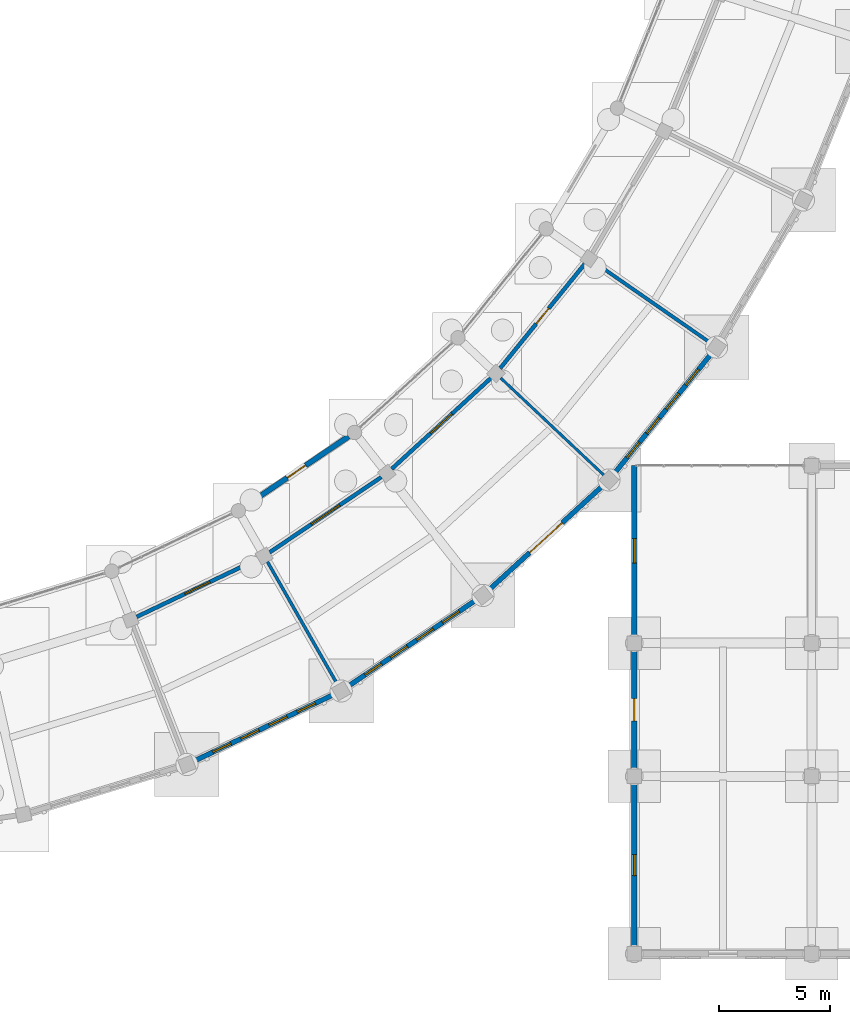
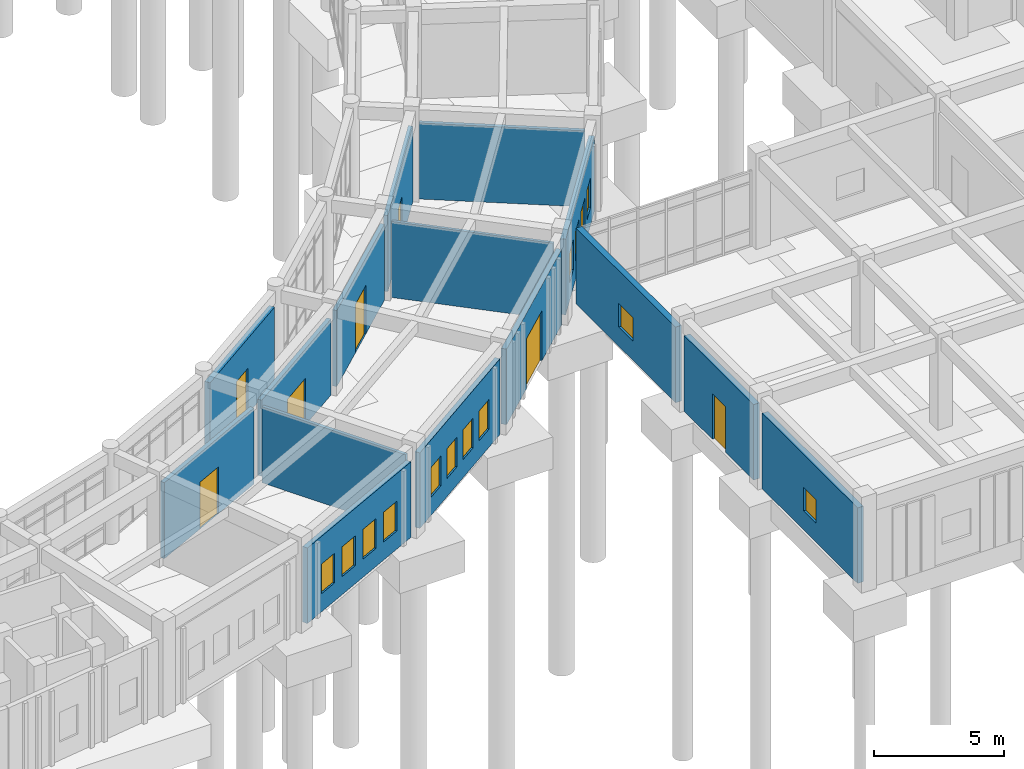
# One storey, part 123 of 153: 15 walls, 14 windows, 7 doors, 21 openings.
"""IFC4 building model written with IfcOpenShell, lengths in metres."""

from ifc_helpers import new_model, si_unit, direction, frame, frame_2d, origin, place, context, subcontext, project, spatial, rectangle, extrude, material, layer, layer_set, type_object, element, fill, save


model = new_model("IFC4")

# Units and contexts
model_context = context("Model", 3, precision=1e-05, world=origin(), true_north=direction((0.0, 1.0)))
body_context = subcontext(model_context, "Body", "Model", "MODEL_VIEW")
ifc_project = project(units=[si_unit("LENGTHUNIT", "METRE"), si_unit("AREAUNIT", "SQUARE_METRE"), si_unit("VOLUMEUNIT", "CUBIC_METRE"), si_unit("PLANEANGLEUNIT", "RADIAN"), si_unit("MASSUNIT", "GRAM", prefix="KILO")], contexts=[model_context])

# Site, building, storey
site_placement = place(None, origin())
site = spatial("IfcSite", under=ifc_project, at=site_placement, CompositionType="ELEMENT")
building_placement = place(site_placement, origin())
building = spatial("IfcBuilding", under=site, at=building_placement, Name="Celadon Cloister-Ring School", CompositionType="ELEMENT")
storey_placement = place(building_placement, origin())
storey = spatial("IfcBuildingStorey", under=building, at=storey_placement, Name="L00", CompositionType="ELEMENT", Elevation=0.0)

# Wall, opening, window
ifc_material_1 = material(Name="Rendered concrete blockwork", Category="masonry")
ifc_layer_1 = layer(ifc_material_1, 0.260009765625)
ifc_layer_set_1 = layer_set([ifc_layer_1], Name="Rendered concrete blockwork")
wall_type_1 = type_object("IfcWallType", Name="WT-EX2", PredefinedType="SOLIDWALL", material=ifc_layer_set_1)
wall_1_placement = place(storey_placement, frame((126.0, 2.326904296875, 0.0), z_axis=(0.0, 0.0, 1.0), x_axis=(0.0, 1.0, 0.0)))
wall_1 = element("IfcWall", 1, at=wall_1_placement, inside=storey, type_object=wall_type_1, Name="Exterior Wall 0397", PredefinedType="SOLIDWALL", context=body_context, shape_type="SweptSolid", body=[
    extrude(rectangle(XDim=7.34619140625, YDim=0.260009765625, at=frame_2d((3.673095703125, 0.0))), origin(), (0.0, 0.0, 1.0), 3.550048828125),
])
opening_1_placement = place(wall_1_placement, frame((3.197998046875, 0.0, 0.89990234375)))
opening_1 = element("IfcOpeningElement", 2, at=opening_1_placement, cuts=wall_1, Name="Opening WN-02", PredefinedType="OPENING", context=body_context, shape_type="SweptSolid", body=[
    extrude(rectangle(XDim=0.949951171875, YDim=1.10009765625, at=frame_2d((0.47509765625, 0.550048828125))), frame((0.0, 0.14013671875, 0.0), z_axis=(0.0, -1.0, 0.0), x_axis=(1.0, 0.0, 0.0)), (0.0, 0.0, 1.0), 0.280029296875),
])
ifc_material_2 = material(Name="Tempered laminated insulating glass", Category="glass")
window_type_1 = type_object("IfcWindowType", Name="WN-02", PartitioningType="SINGLE_PANEL", PredefinedType="WINDOW", material=ifc_material_2)
window_1_placement = place(opening_1_placement, origin())
window_1 = element("IfcWindow", 3, at=window_1_placement, inside=storey, type_object=window_type_1, Name="Window 0952", OverallHeight=1.10009765625, OverallWidth=0.949951171875, PartitioningType="SINGLE_PANEL", PredefinedType="WINDOW", context=body_context, shape_type="SweptSolid", body=[
    extrude(rectangle(XDim=0.949951171875, YDim=1.10009765625, at=frame_2d((0.47509765625, 0.550048828125))), frame((0.0, 0.030029296875, 0.0), z_axis=(0.0, -1.0, 0.0), x_axis=(1.0, 0.0, 0.0)), (0.0, 0.0, 1.0), 0.06005859375),
])
fill(opening_1, window_1)

# Wall, opening, door
wall_2_placement = place(storey_placement, frame((126.0, 10.326904296875, 0.0), z_axis=(0.0, 0.0, 1.0), x_axis=(0.0, 1.0, 0.0)))
wall_2 = element("IfcWall", 4, at=wall_2_placement, inside=storey, type_object=wall_type_1, Name="Exterior Wall 0398", PredefinedType="SOLIDWALL", context=body_context, shape_type="SweptSolid", body=[
    extrude(rectangle(XDim=5.34619140625, YDim=0.260009765625, at=frame_2d((2.673095703125, 0.0))), origin(), (0.0, 0.0, 1.0), 3.550048828125),
])
opening_2_placement = place(wall_2_placement, frame((2.173095703125, 0.0, 0.0)))
opening_2 = element("IfcOpeningElement", 5, at=opening_2_placement, cuts=wall_2, Name="Opening D-0018", PredefinedType="OPENING", context=body_context, shape_type="SweptSolid", body=[
    extrude(rectangle(XDim=1.0, YDim=2.14990234375, at=frame_2d((0.5, 1.074951171875))), frame((0.0, 0.14013671875, 0.0), z_axis=(0.0, -1.0, 0.0), x_axis=(1.0, 0.0, 0.0)), (0.0, 0.0, 1.0), 0.280029296875),
])
ifc_material_3 = material(Name="Aluminium EN AW-6063 T6", Category="aluminium")
door_type_1 = type_object("IfcDoorType", Name="DE-01", OperationType="NOTDEFINED", PredefinedType="DOOR", material=ifc_material_3)
door_1_placement = place(opening_2_placement, origin())
door_1 = element("IfcDoor", 6, at=door_1_placement, inside=storey, type_object=door_type_1, Name="Exterior Door D-0018", OperationType="SINGLE_SWING_RIGHT", OverallHeight=2.14990234375, OverallWidth=1.0, PredefinedType="DOOR", context=body_context, shape_type="SweptSolid", body=[
    extrude(rectangle(XDim=1.0, YDim=2.14990234375, at=frame_2d((0.5, 1.074951171875))), frame((0.0, 0.02490234375, 0.0), z_axis=(0.0, -1.0, 0.0), x_axis=(1.0, 0.0, 0.0)), (0.0, 0.0, 1.0), 0.050048828125),
])
fill(opening_2, door_1)

# Wall, opening, window
wall_3_placement = place(storey_placement, frame((126.0, 16.326904296875, 0.0), z_axis=(0.0, 0.0, 1.0), x_axis=(0.0, 1.0, 0.0)))
wall_3 = element("IfcWall", 7, at=wall_3_placement, inside=storey, type_object=wall_type_1, Name="Exterior Wall 0399", PredefinedType="SOLIDWALL", context=body_context, shape_type="SweptSolid", body=[
    extrude(rectangle(XDim=7.673095703125, YDim=0.260009765625, at=frame_2d((3.83642578125, 0.0))), origin(), (0.0, 0.0, 1.0), 3.550048828125),
])
opening_3_placement = place(wall_3_placement, frame((3.285888671875, 0.0, 0.89990234375)))
opening_3 = element("IfcOpeningElement", 8, at=opening_3_placement, cuts=wall_3, Name="Opening WN-03", PredefinedType="OPENING", context=body_context, shape_type="SweptSolid", body=[
    extrude(rectangle(XDim=1.10009765625, YDim=1.10009765625, at=frame_2d((0.550048828125, 0.550048828125))), frame((0.0, 0.14013671875, 0.0), z_axis=(0.0, -1.0, 0.0), x_axis=(1.0, 0.0, 0.0)), (0.0, 0.0, 1.0), 0.280029296875),
])
ifc_material_4 = material(Name="Tempered laminated insulating glass", Category="glass")
window_type_2 = type_object("IfcWindowType", Name="WN-03", PartitioningType="SINGLE_PANEL", PredefinedType="WINDOW", material=ifc_material_4)
window_2_placement = place(opening_3_placement, origin())
window_2 = element("IfcWindow", 9, at=window_2_placement, inside=storey, type_object=window_type_2, Name="Window 0953", OverallHeight=1.10009765625, OverallWidth=1.10009765625, PartitioningType="SINGLE_PANEL", PredefinedType="WINDOW", context=body_context, shape_type="SweptSolid", body=[
    extrude(rectangle(XDim=1.10009765625, YDim=1.10009765625, at=frame_2d((0.550048828125, 0.550048828125))), frame((0.0, 0.030029296875, 0.0), z_axis=(0.0, -1.0, 0.0), x_axis=(1.0, 0.0, 0.0)), (0.0, 0.0, 1.0), 0.06005859375),
])
fill(opening_3, window_2)

# Wall, opening, door
ifc_material_5 = material(Name="Rendered concrete blockwork", Category="masonry")
ifc_layer_2 = layer(ifc_material_5, 0.239990234375)
ifc_layer_set_2 = layer_set([ifc_layer_2], Name="Rendered concrete blockwork")
wall_type_2 = type_object("IfcWallType", Name="WT-EX3", PredefinedType="SOLIDWALL", material=ifc_layer_set_2)
wall_4_placement = place(storey_placement, frame((108.426025390625, 22.14892578125, 0.0), z_axis=(0.0, 0.0, 1.0), x_axis=(0.829214750807, 0.558930136102, 0.0)))
wall_4 = element("IfcWall", 10, at=wall_4_placement, inside=storey, type_object=wall_type_2, Name="Exterior Wall 0032", PredefinedType="SOLIDWALL", context=body_context, shape_type="SweptSolid", body=[
    extrude(rectangle(XDim=5.664306640625, YDim=0.239990234375, at=frame_2d((2.83203125, 0.0))), origin(), (0.0, 0.0, 1.0), 3.550048828125),
])
opening_4_placement = place(wall_4_placement, frame((2.33203125, 0.0, 0.0)))
opening_4 = element("IfcOpeningElement", 11, at=opening_4_placement, cuts=wall_4, Name="Opening D-0005", PredefinedType="OPENING", context=body_context, shape_type="SweptSolid", body=[
    extrude(rectangle(XDim=1.0, YDim=2.14990234375, at=frame_2d((0.5, 1.074951171875))), frame((0.0, 0.1298828125, 0.0), z_axis=(0.0, -1.0, 0.0), x_axis=(1.0, 0.0, 0.0)), (0.0, 0.0, 1.0), 0.260009765625),
])
door_2_placement = place(opening_4_placement, origin())
door_2 = element("IfcDoor", 12, at=door_2_placement, inside=storey, type_object=door_type_1, Name="Exterior Door D-0005", OperationType="SINGLE_SWING_LEFT", OverallHeight=2.14990234375, OverallWidth=1.0, PredefinedType="DOOR", context=body_context, shape_type="SweptSolid", body=[
    extrude(rectangle(XDim=1.0, YDim=2.14990234375, at=frame_2d((0.5, 1.074951171875))), frame((0.0, 0.02490234375, 0.0), z_axis=(0.0, -1.0, 0.0), x_axis=(1.0, 0.0, 0.0)), (0.0, 0.0, 1.0), 0.050048828125),
])
fill(opening_4, door_2)

# Wall, openings, windows
ifc_material_6 = material(Name="Perforated terracotta clay brick masonry", Category="masonry")
ifc_layer_3 = layer(ifc_material_6, 0.219970703125)
ifc_layer_set_3 = layer_set([ifc_layer_3], Name="Perforated terracotta clay brick masonry")
wall_type_3 = type_object("IfcWallType", Name="WT-EX4", PredefinedType="SOLIDWALL", material=ifc_layer_set_3)
wall_5_placement = place(storey_placement, frame((112.489013671875, 13.701904296875, 0.0), z_axis=(0.0, 0.0, 1.0), x_axis=(-0.902744968073, -0.43017615301, 0.0)))
wall_5 = element("IfcWall", 13, at=wall_5_placement, inside=storey, type_object=wall_type_3, Name="Exterior Wall 0030", PredefinedType="SOLIDWALL", context=body_context, shape_type="SweptSolid", body=[
    extrude(rectangle(XDim=7.03173828125, YDim=0.219970703125, at=frame_2d((3.515869140625, 0.0))), origin(), (0.0, 0.0, 1.0), 3.550048828125),
])
opening_5_placement = place(wall_5_placement, frame((0.9560546875, 0.0, 0.85009765625)))
opening_5 = element("IfcOpeningElement", 14, at=opening_5_placement, cuts=wall_5, Name="Opening WN-21", PredefinedType="OPENING", context=body_context, shape_type="SweptSolid", body=[
    extrude(rectangle(XDim=0.89990234375, YDim=1.39990234375, at=frame_2d((0.449951171875, 0.699951171875))), frame((0.0, 0.1201171875, 0.0), z_axis=(0.0, -1.0, 0.0), x_axis=(1.0, 0.0, 0.0)), (0.0, 0.0, 1.0), 0.239990234375),
])
opening_6_placement = place(wall_5_placement, frame((2.363037109375, 0.0, 0.85009765625)))
opening_6 = element("IfcOpeningElement", 15, at=opening_6_placement, cuts=wall_5, Name="Opening WN-21", PredefinedType="OPENING", context=body_context, shape_type="SweptSolid", body=[
    extrude(rectangle(XDim=0.89990234375, YDim=1.39990234375, at=frame_2d((0.449951171875, 0.699951171875))), frame((0.0, 0.1201171875, 0.0), z_axis=(0.0, -1.0, 0.0), x_axis=(1.0, 0.0, 0.0)), (0.0, 0.0, 1.0), 0.239990234375),
])
opening_7_placement = place(wall_5_placement, frame((3.76904296875, 0.0, 0.85009765625)))
opening_7 = element("IfcOpeningElement", 16, at=opening_7_placement, cuts=wall_5, Name="Opening WN-21", PredefinedType="OPENING", context=body_context, shape_type="SweptSolid", body=[
    extrude(rectangle(XDim=0.89990234375, YDim=1.39990234375, at=frame_2d((0.449951171875, 0.699951171875))), frame((0.0, 0.1201171875, 0.0), z_axis=(0.0, -1.0, 0.0), x_axis=(1.0, 0.0, 0.0)), (0.0, 0.0, 1.0), 0.239990234375),
])
opening_8_placement = place(wall_5_placement, frame((5.176025390625, 0.0, 0.85009765625)))
opening_8 = element("IfcOpeningElement", 17, at=opening_8_placement, cuts=wall_5, Name="Opening WN-21", PredefinedType="OPENING", context=body_context, shape_type="SweptSolid", body=[
    extrude(rectangle(XDim=0.89990234375, YDim=1.39990234375, at=frame_2d((0.449951171875, 0.699951171875))), frame((0.0, 0.1201171875, 0.0), z_axis=(0.0, -1.0, 0.0), x_axis=(1.0, 0.0, 0.0)), (0.0, 0.0, 1.0), 0.239990234375),
])
ifc_material_7 = material(Name="Tempered laminated insulating glass", Category="glass")
window_type_3 = type_object("IfcWindowType", Name="WN-21", PartitioningType="SINGLE_PANEL", PredefinedType="WINDOW", material=ifc_material_7)
window_3_placement = place(opening_5_placement, origin())
window_3 = element("IfcWindow", 18, at=window_3_placement, inside=storey, type_object=window_type_3, Name="Window 0075", OverallHeight=1.39990234375, OverallWidth=0.89990234375, PartitioningType="SINGLE_PANEL", PredefinedType="WINDOW", context=body_context, shape_type="SweptSolid", body=[
    extrude(rectangle(XDim=0.89990234375, YDim=1.39990234375, at=frame_2d((0.449951171875, 0.699951171875))), frame((0.0, 0.030029296875, 0.0), z_axis=(0.0, -1.0, 0.0), x_axis=(1.0, 0.0, 0.0)), (0.0, 0.0, 1.0), 0.06005859375),
])
fill(opening_5, window_3)
window_4_placement = place(opening_6_placement, origin())
window_4 = element("IfcWindow", 19, at=window_4_placement, inside=storey, type_object=window_type_3, Name="Window 0076", OverallHeight=1.39990234375, OverallWidth=0.89990234375, PartitioningType="SINGLE_PANEL", PredefinedType="WINDOW", context=body_context, shape_type="SweptSolid", body=[
    extrude(rectangle(XDim=0.89990234375, YDim=1.39990234375, at=frame_2d((0.449951171875, 0.699951171875))), frame((0.0, 0.030029296875, 0.0), z_axis=(0.0, -1.0, 0.0), x_axis=(1.0, 0.0, 0.0)), (0.0, 0.0, 1.0), 0.06005859375),
])
fill(opening_6, window_4)
window_5_placement = place(opening_7_placement, origin())
window_5 = element("IfcWindow", 20, at=window_5_placement, inside=storey, type_object=window_type_3, Name="Window 0077", OverallHeight=1.39990234375, OverallWidth=0.89990234375, PartitioningType="SINGLE_PANEL", PredefinedType="WINDOW", context=body_context, shape_type="SweptSolid", body=[
    extrude(rectangle(XDim=0.89990234375, YDim=1.39990234375, at=frame_2d((0.449951171875, 0.699951171875))), frame((0.0, 0.030029296875, 0.0), z_axis=(0.0, -1.0, 0.0), x_axis=(1.0, 0.0, 0.0)), (0.0, 0.0, 1.0), 0.06005859375),
])
fill(opening_7, window_5)
window_6_placement = place(opening_8_placement, origin())
window_6 = element("IfcWindow", 21, at=window_6_placement, inside=storey, type_object=window_type_3, Name="Window 0078", OverallHeight=1.39990234375, OverallWidth=0.89990234375, PartitioningType="SINGLE_PANEL", PredefinedType="WINDOW", context=body_context, shape_type="SweptSolid", body=[
    extrude(rectangle(XDim=0.89990234375, YDim=1.39990234375, at=frame_2d((0.449951171875, 0.699951171875))), frame((0.0, 0.030029296875, 0.0), z_axis=(0.0, -1.0, 0.0), x_axis=(1.0, 0.0, 0.0)), (0.0, 0.0, 1.0), 0.06005859375),
])
fill(opening_8, window_6)

wall_6_placement = place(storey_placement, frame((118.90087890625, 17.965087890625, 0.0), z_axis=(0.0, 0.0, 1.0), x_axis=(-0.829175809129, -0.558987904659, 0.0)))
wall_6 = element("IfcWall", 22, at=wall_6_placement, inside=storey, type_object=wall_type_3, Name="Exterior Wall 0031", PredefinedType="SOLIDWALL", context=body_context, shape_type="SweptSolid", body=[
    extrude(rectangle(XDim=7.03076171875, YDim=0.219970703125, at=frame_2d((3.515380859375, 0.0))), origin(), (0.0, 0.0, 1.0), 3.550048828125),
])
opening_9_placement = place(wall_6_placement, frame((0.9560546875, 0.0, 0.85009765625)))
opening_9 = element("IfcOpeningElement", 23, at=opening_9_placement, cuts=wall_6, Name="Opening WN-21", PredefinedType="OPENING", context=body_context, shape_type="SweptSolid", body=[
    extrude(rectangle(XDim=0.89990234375, YDim=1.39990234375, at=frame_2d((0.449951171875, 0.699951171875))), frame((0.0, 0.1201171875, 0.0), z_axis=(0.0, -1.0, 0.0), x_axis=(1.0, 0.0, 0.0)), (0.0, 0.0, 1.0), 0.239990234375),
])
opening_10_placement = place(wall_6_placement, frame((2.362060546875, 0.0, 0.85009765625)))
opening_10 = element("IfcOpeningElement", 24, at=opening_10_placement, cuts=wall_6, Name="Opening WN-21", PredefinedType="OPENING", context=body_context, shape_type="SweptSolid", body=[
    extrude(rectangle(XDim=0.89990234375, YDim=1.39990234375, at=frame_2d((0.449951171875, 0.699951171875))), frame((0.0, 0.1201171875, 0.0), z_axis=(0.0, -1.0, 0.0), x_axis=(1.0, 0.0, 0.0)), (0.0, 0.0, 1.0), 0.239990234375),
])
opening_11_placement = place(wall_6_placement, frame((3.76904296875, 0.0, 0.85009765625)))
opening_11 = element("IfcOpeningElement", 25, at=opening_11_placement, cuts=wall_6, Name="Opening WN-21", PredefinedType="OPENING", context=body_context, shape_type="SweptSolid", body=[
    extrude(rectangle(XDim=0.89990234375, YDim=1.39990234375, at=frame_2d((0.449951171875, 0.699951171875))), frame((0.0, 0.1201171875, 0.0), z_axis=(0.0, -1.0, 0.0), x_axis=(1.0, 0.0, 0.0)), (0.0, 0.0, 1.0), 0.239990234375),
])
opening_12_placement = place(wall_6_placement, frame((5.175048828125, 0.0, 0.85009765625)))
opening_12 = element("IfcOpeningElement", 26, at=opening_12_placement, cuts=wall_6, Name="Opening WN-21", PredefinedType="OPENING", context=body_context, shape_type="SweptSolid", body=[
    extrude(rectangle(XDim=0.89990234375, YDim=1.39990234375, at=frame_2d((0.449951171875, 0.699951171875))), frame((0.0, 0.1201171875, 0.0), z_axis=(0.0, -1.0, 0.0), x_axis=(1.0, 0.0, 0.0)), (0.0, 0.0, 1.0), 0.239990234375),
])
window_7_placement = place(opening_9_placement, origin())
window_7 = element("IfcWindow", 27, at=window_7_placement, inside=storey, type_object=window_type_3, Name="Window 0079", OverallHeight=1.39990234375, OverallWidth=0.89990234375, PartitioningType="SINGLE_PANEL", PredefinedType="WINDOW", context=body_context, shape_type="SweptSolid", body=[
    extrude(rectangle(XDim=0.89990234375, YDim=1.39990234375, at=frame_2d((0.449951171875, 0.699951171875))), frame((0.0, 0.030029296875, 0.0), z_axis=(0.0, -1.0, 0.0), x_axis=(1.0, 0.0, 0.0)), (0.0, 0.0, 1.0), 0.06005859375),
])
fill(opening_9, window_7)
window_8_placement = place(opening_10_placement, origin())
window_8 = element("IfcWindow", 28, at=window_8_placement, inside=storey, type_object=window_type_3, Name="Window 0080", OverallHeight=1.39990234375, OverallWidth=0.89990234375, PartitioningType="SINGLE_PANEL", PredefinedType="WINDOW", context=body_context, shape_type="SweptSolid", body=[
    extrude(rectangle(XDim=0.89990234375, YDim=1.39990234375, at=frame_2d((0.449951171875, 0.699951171875))), frame((0.0, 0.030029296875, 0.0), z_axis=(0.0, -1.0, 0.0), x_axis=(1.0, 0.0, 0.0)), (0.0, 0.0, 1.0), 0.06005859375),
])
fill(opening_10, window_8)
window_9_placement = place(opening_11_placement, origin())
window_9 = element("IfcWindow", 29, at=window_9_placement, inside=storey, type_object=window_type_3, Name="Window 0081", OverallHeight=1.39990234375, OverallWidth=0.89990234375, PartitioningType="SINGLE_PANEL", PredefinedType="WINDOW", context=body_context, shape_type="SweptSolid", body=[
    extrude(rectangle(XDim=0.89990234375, YDim=1.39990234375, at=frame_2d((0.449951171875, 0.699951171875))), frame((0.0, 0.030029296875, 0.0), z_axis=(0.0, -1.0, 0.0), x_axis=(1.0, 0.0, 0.0)), (0.0, 0.0, 1.0), 0.06005859375),
])
fill(opening_11, window_9)
window_10_placement = place(opening_12_placement, origin())
window_10 = element("IfcWindow", 30, at=window_10_placement, inside=storey, type_object=window_type_3, Name="Window 0082", OverallHeight=1.39990234375, OverallWidth=0.89990234375, PartitioningType="SINGLE_PANEL", PredefinedType="WINDOW", context=body_context, shape_type="SweptSolid", body=[
    extrude(rectangle(XDim=0.89990234375, YDim=1.39990234375, at=frame_2d((0.449951171875, 0.699951171875))), frame((0.0, 0.030029296875, 0.0), z_axis=(0.0, -1.0, 0.0), x_axis=(1.0, 0.0, 0.0)), (0.0, 0.0, 1.0), 0.06005859375),
])
fill(opening_12, window_10)

# Wall, opening, door
wall_7_placement = place(storey_placement, frame((124.614013671875, 23.12890625, 0.0), z_axis=(0.0, 0.0, 1.0), x_axis=(-0.737497040912, -0.675350364364, 0.0)))
wall_7 = element("IfcWall", 31, at=wall_7_placement, inside=storey, type_object=wall_type_3, Name="Exterior Wall 0033", PredefinedType="SOLIDWALL", context=body_context, shape_type="SweptSolid", body=[
    extrude(rectangle(XDim=7.031982421875, YDim=0.219970703125, at=frame_2d((3.51611328125, 0.0))), origin(), (0.0, 0.0, 1.0), 3.550048828125),
])
opening_13_placement = place(wall_7_placement, frame((2.51611328125, 0.0, 0.0)))
opening_13 = element("IfcOpeningElement", 32, at=opening_13_placement, cuts=wall_7, Name="Opening D-0006", PredefinedType="OPENING", context=body_context, shape_type="SweptSolid", body=[
    extrude(rectangle(XDim=2.0, YDim=2.35009765625, at=frame_2d((1.0, 1.175048828125))), frame((0.0, 0.1201171875, 0.0), z_axis=(0.0, -1.0, 0.0), x_axis=(1.0, 0.0, 0.0)), (0.0, 0.0, 1.0), 0.239990234375),
])
ifc_material_8 = material(Name="Aluminium EN AW-6063 T6", Category="aluminium")
door_type_2 = type_object("IfcDoorType", Name="DE-11", OperationType="NOTDEFINED", PredefinedType="DOOR", material=ifc_material_8)
door_3_placement = place(opening_13_placement, origin())
door_3 = element("IfcDoor", 33, at=door_3_placement, inside=storey, type_object=door_type_2, Name="Exterior Door D-0006", OperationType="SINGLE_SWING_RIGHT", OverallHeight=2.35009765625, OverallWidth=2.0, PredefinedType="DOOR", context=body_context, shape_type="SweptSolid", body=[
    extrude(rectangle(XDim=2.0, YDim=2.35009765625, at=frame_2d((1.0, 1.175048828125))), frame((0.0, 0.02490234375, 0.0), z_axis=(0.0, -1.0, 0.0), x_axis=(1.0, 0.0, 0.0)), (0.0, 0.0, 1.0), 0.050048828125),
])
fill(opening_13, door_3)

# Wall, openings, windows
wall_8_placement = place(storey_placement, frame((129.5, 29.080078125, 0.0), z_axis=(0.0, 0.0, 1.0), x_axis=(-0.629497848331, -0.777002225831, 0.0)))
wall_8 = element("IfcWall", 34, at=wall_8_placement, inside=storey, type_object=wall_type_3, Name="Exterior Wall 0034", PredefinedType="SOLIDWALL", context=body_context, shape_type="SweptSolid", body=[
    extrude(rectangle(XDim=7.031005859375, YDim=0.219970703125, at=frame_2d((3.515625, 0.0))), origin(), (0.0, 0.0, 1.0), 3.550048828125),
])
opening_14_placement = place(wall_8_placement, frame((0.9560546875, 0.0, 0.85009765625)))
opening_14 = element("IfcOpeningElement", 35, at=opening_14_placement, cuts=wall_8, Name="Opening WN-21", PredefinedType="OPENING", context=body_context, shape_type="SweptSolid", body=[
    extrude(rectangle(XDim=0.89990234375, YDim=1.39990234375, at=frame_2d((0.449951171875, 0.699951171875))), frame((0.0, 0.1201171875, 0.0), z_axis=(0.0, -1.0, 0.0), x_axis=(1.0, 0.0, 0.0)), (0.0, 0.0, 1.0), 0.239990234375),
])
opening_15_placement = place(wall_8_placement, frame((2.362060546875, 0.0, 0.85009765625)))
opening_15 = element("IfcOpeningElement", 36, at=opening_15_placement, cuts=wall_8, Name="Opening WN-21", PredefinedType="OPENING", context=body_context, shape_type="SweptSolid", body=[
    extrude(rectangle(XDim=0.89990234375, YDim=1.39990234375, at=frame_2d((0.449951171875, 0.699951171875))), frame((0.0, 0.1201171875, 0.0), z_axis=(0.0, -1.0, 0.0), x_axis=(1.0, 0.0, 0.0)), (0.0, 0.0, 1.0), 0.239990234375),
])
opening_16_placement = place(wall_8_placement, frame((3.76904296875, 0.0, 0.85009765625)))
opening_16 = element("IfcOpeningElement", 37, at=opening_16_placement, cuts=wall_8, Name="Opening WN-21", PredefinedType="OPENING", context=body_context, shape_type="SweptSolid", body=[
    extrude(rectangle(XDim=0.89990234375, YDim=1.39990234375, at=frame_2d((0.449951171875, 0.699951171875))), frame((0.0, 0.1201171875, 0.0), z_axis=(0.0, -1.0, 0.0), x_axis=(1.0, 0.0, 0.0)), (0.0, 0.0, 1.0), 0.239990234375),
])
opening_17_placement = place(wall_8_placement, frame((5.175048828125, 0.0, 0.85009765625)))
opening_17 = element("IfcOpeningElement", 38, at=opening_17_placement, cuts=wall_8, Name="Opening WN-21", PredefinedType="OPENING", context=body_context, shape_type="SweptSolid", body=[
    extrude(rectangle(XDim=0.89990234375, YDim=1.39990234375, at=frame_2d((0.449951171875, 0.699951171875))), frame((0.0, 0.1201171875, 0.0), z_axis=(0.0, -1.0, 0.0), x_axis=(1.0, 0.0, 0.0)), (0.0, 0.0, 1.0), 0.239990234375),
])
window_11_placement = place(opening_14_placement, origin())
window_11 = element("IfcWindow", 39, at=window_11_placement, inside=storey, type_object=window_type_3, Name="Window 0083", OverallHeight=1.39990234375, OverallWidth=0.89990234375, PartitioningType="SINGLE_PANEL", PredefinedType="WINDOW", context=body_context, shape_type="SweptSolid", body=[
    extrude(rectangle(XDim=0.89990234375, YDim=1.39990234375, at=frame_2d((0.449951171875, 0.699951171875))), frame((0.0, 0.030029296875, 0.0), z_axis=(0.0, -1.0, 0.0), x_axis=(1.0, 0.0, 0.0)), (0.0, 0.0, 1.0), 0.06005859375),
])
fill(opening_14, window_11)
window_12_placement = place(opening_15_placement, origin())
window_12 = element("IfcWindow", 40, at=window_12_placement, inside=storey, type_object=window_type_3, Name="Window 0084", OverallHeight=1.39990234375, OverallWidth=0.89990234375, PartitioningType="SINGLE_PANEL", PredefinedType="WINDOW", context=body_context, shape_type="SweptSolid", body=[
    extrude(rectangle(XDim=0.89990234375, YDim=1.39990234375, at=frame_2d((0.449951171875, 0.699951171875))), frame((0.0, 0.030029296875, 0.0), z_axis=(0.0, -1.0, 0.0), x_axis=(1.0, 0.0, 0.0)), (0.0, 0.0, 1.0), 0.06005859375),
])
fill(opening_15, window_12)
window_13_placement = place(opening_16_placement, origin())
window_13 = element("IfcWindow", 41, at=window_13_placement, inside=storey, type_object=window_type_3, Name="Window 0085", OverallHeight=1.39990234375, OverallWidth=0.89990234375, PartitioningType="SINGLE_PANEL", PredefinedType="WINDOW", context=body_context, shape_type="SweptSolid", body=[
    extrude(rectangle(XDim=0.89990234375, YDim=1.39990234375, at=frame_2d((0.449951171875, 0.699951171875))), frame((0.0, 0.030029296875, 0.0), z_axis=(0.0, -1.0, 0.0), x_axis=(1.0, 0.0, 0.0)), (0.0, 0.0, 1.0), 0.06005859375),
])
fill(opening_16, window_13)
window_14_placement = place(opening_17_placement, origin())
window_14 = element("IfcWindow", 42, at=window_14_placement, inside=storey, type_object=window_type_3, Name="Window 0086", OverallHeight=1.39990234375, OverallWidth=0.89990234375, PartitioningType="SINGLE_PANEL", PredefinedType="WINDOW", context=body_context, shape_type="SweptSolid", body=[
    extrude(rectangle(XDim=0.89990234375, YDim=1.39990234375, at=frame_2d((0.449951171875, 0.699951171875))), frame((0.0, 0.030029296875, 0.0), z_axis=(0.0, -1.0, 0.0), x_axis=(1.0, 0.0, 0.0)), (0.0, 0.0, 1.0), 0.06005859375),
])
fill(opening_17, window_14)

# Wall, opening, door
ifc_material_9 = material(Name="Plastered hollow concrete masonry", Category="masonry")
ifc_layer_4 = layer(ifc_material_9, 0.179931640625)
ifc_layer_set_4 = layer_set([ifc_layer_4], Name="Plastered hollow concrete masonry")
wall_type_4 = type_object("IfcWallType", Name="WT-PT2", PredefinedType="PARTITIONING", material=ifc_layer_set_4)
wall_9_placement = place(storey_placement, frame((103.56591796875, 17.18310546875, 0.0), z_axis=(0.0, 0.0, 1.0), x_axis=(0.902690527885, 0.430290379704, 0.0)))
wall_9 = element("IfcWall", 43, at=wall_9_placement, inside=storey, type_object=wall_type_4, Name="Interior Wall 0468", PredefinedType="PARTITIONING", context=body_context, shape_type="SweptSolid", body=[
    extrude(rectangle(XDim=6.081787109375, YDim=0.179931640625, at=frame_2d((3.041015625, 0.0))), origin(), (0.0, 0.0, 1.0), 3.572021484375),
])
opening_18_placement = place(wall_9_placement, frame((2.416015625, 0.0, 0.0)))
opening_18 = element("IfcOpeningElement", 44, at=opening_18_placement, cuts=wall_9, Name="Opening D-0129", PredefinedType="OPENING", context=body_context, shape_type="SweptSolid", body=[
    extrude(rectangle(XDim=1.25, YDim=2.199951171875, at=frame_2d((0.625, 1.10009765625))), frame((0.0, 0.10009765625, 0.0), z_axis=(0.0, -1.0, 0.0), x_axis=(1.0, 0.0, 0.0)), (0.0, 0.0, 1.0), 0.199951171875),
])
ifc_material_10 = material(Name="Galvanised fire-rated hollow steel leaf", Category="steel")
door_type_3 = type_object("IfcDoorType", Name="DT-10", OperationType="NOTDEFINED", PredefinedType="DOOR", material=ifc_material_10)
door_4_placement = place(opening_18_placement, origin())
door_4 = element("IfcDoor", 45, at=door_4_placement, inside=storey, type_object=door_type_3, Name="Door D-0129", OperationType="SINGLE_SWING_LEFT", OverallHeight=2.199951171875, OverallWidth=1.25, PredefinedType="DOOR", context=body_context, shape_type="SweptSolid", body=[
    extrude(rectangle(XDim=1.25, YDim=2.199951171875, at=frame_2d((0.625, 1.10009765625))), frame((0.0, 0.02490234375, 0.0), z_axis=(0.0, -1.0, 0.0), x_axis=(1.0, 0.0, 0.0)), (0.0, 0.0, 1.0), 0.050048828125),
])
fill(opening_18, door_4)

wall_10_placement = place(storey_placement, frame((109.56298828125, 20.090087890625, 0.0), z_axis=(0.0, 0.0, 1.0), x_axis=(0.829259954876, 0.558863066626, 0.0)))
wall_10 = element("IfcWall", 46, at=wall_10_placement, inside=storey, type_object=wall_type_4, Name="Interior Wall 0469", PredefinedType="PARTITIONING", context=body_context, shape_type="SweptSolid", body=[
    extrude(rectangle(XDim=6.080078125, YDim=0.179931640625, at=frame_2d((3.0400390625, 0.0))), origin(), (0.0, 0.0, 1.0), 3.572021484375),
])
opening_19_placement = place(wall_10_placement, frame((2.264892578125, 0.0, 0.0)))
opening_19 = element("IfcOpeningElement", 47, at=opening_19_placement, cuts=wall_10, Name="Opening D-0130", PredefinedType="OPENING", context=body_context, shape_type="SweptSolid", body=[
    extrude(rectangle(XDim=1.550048828125, YDim=2.199951171875, at=frame_2d((0.77490234375, 1.10009765625))), frame((0.0, 0.10009765625, 0.0), z_axis=(0.0, -1.0, 0.0), x_axis=(1.0, 0.0, 0.0)), (0.0, 0.0, 1.0), 0.199951171875),
])
ifc_material_11 = material(Name="Galvanised fire-rated hollow steel leaf", Category="steel")
door_type_4 = type_object("IfcDoorType", Name="DT-13", OperationType="NOTDEFINED", PredefinedType="DOOR", material=ifc_material_11)
door_5_placement = place(opening_19_placement, origin())
door_5 = element("IfcDoor", 48, at=door_5_placement, inside=storey, type_object=door_type_4, Name="Door D-0130", OperationType="SINGLE_SWING_RIGHT", OverallHeight=2.199951171875, OverallWidth=1.550048828125, PredefinedType="DOOR", context=body_context, shape_type="SweptSolid", body=[
    extrude(rectangle(XDim=1.550048828125, YDim=2.199951171875, at=frame_2d((0.77490234375, 1.10009765625))), frame((0.0, 0.02490234375, 0.0), z_axis=(0.0, -1.0, 0.0), x_axis=(1.0, 0.0, 0.0)), (0.0, 0.0, 1.0), 0.050048828125),
])
fill(opening_19, door_5)

wall_11_placement = place(storey_placement, frame((115.06396484375, 23.85009765625, 0.0), z_axis=(0.0, 0.0, 1.0), x_axis=(0.737595632739, 0.675242684199, 0.0)))
wall_11 = element("IfcWall", 49, at=wall_11_placement, inside=storey, type_object=wall_type_4, Name="Interior Wall 0470", PredefinedType="PARTITIONING", context=body_context, shape_type="SweptSolid", body=[
    extrude(rectangle(XDim=6.080810546875, YDim=0.179931640625, at=frame_2d((3.04052734375, 0.0))), origin(), (0.0, 0.0, 1.0), 3.572021484375),
])
opening_20_placement = place(wall_11_placement, frame((2.389892578125, 0.0, 0.0)))
opening_20 = element("IfcOpeningElement", 50, at=opening_20_placement, cuts=wall_11, Name="Opening D-0131", PredefinedType="OPENING", context=body_context, shape_type="SweptSolid", body=[
    extrude(rectangle(XDim=1.300048828125, YDim=2.280029296875, at=frame_2d((0.64990234375, 1.14013671875))), frame((0.0, 0.10009765625, 0.0), z_axis=(0.0, -1.0, 0.0), x_axis=(1.0, 0.0, 0.0)), (0.0, 0.0, 1.0), 0.199951171875),
])
ifc_material_12 = material(Name="Galvanised fire-rated hollow steel leaf", Category="steel")
door_type_5 = type_object("IfcDoorType", Name="DT-16", OperationType="NOTDEFINED", PredefinedType="DOOR", material=ifc_material_12)
door_6_placement = place(opening_20_placement, origin())
door_6 = element("IfcDoor", 51, at=door_6_placement, inside=storey, type_object=door_type_5, Name="Door D-0131", OperationType="SINGLE_SWING_LEFT", OverallHeight=2.280029296875, OverallWidth=1.300048828125, PredefinedType="DOOR", context=body_context, shape_type="SweptSolid", body=[
    extrude(rectangle(XDim=1.300048828125, YDim=2.280029296875, at=frame_2d((0.64990234375, 1.14013671875))), frame((0.0, 0.02490234375, 0.0), z_axis=(0.0, -1.0, 0.0), x_axis=(1.0, 0.0, 0.0)), (0.0, 0.0, 1.0), 0.050048828125),
])
fill(opening_20, door_6)

wall_12_placement = place(storey_placement, frame((119.948974609375, 28.381103515625, 0.0), z_axis=(0.0, 0.0, 1.0), x_axis=(0.629617338729, 0.776905404005, 0.0)))
wall_12 = element("IfcWall", 52, at=wall_12_placement, inside=storey, type_object=wall_type_4, Name="Interior Wall 0471", PredefinedType="PARTITIONING", context=body_context, shape_type="SweptSolid", body=[
    extrude(rectangle(XDim=6.08154296875, YDim=0.179931640625, at=frame_2d((3.040771484375, 0.0))), origin(), (0.0, 0.0, 1.0), 3.572021484375),
])
opening_21_placement = place(wall_12_placement, frame((2.60107421875, 0.0, 0.0)))
opening_21 = element("IfcOpeningElement", 53, at=opening_21_placement, cuts=wall_12, Name="Opening D-0132", PredefinedType="OPENING", context=body_context, shape_type="SweptSolid", body=[
    extrude(rectangle(XDim=0.8798828125, YDim=2.10009765625, at=frame_2d((0.43994140625, 1.050048828125))), frame((0.0, 0.10009765625, 0.0), z_axis=(0.0, -1.0, 0.0), x_axis=(1.0, 0.0, 0.0)), (0.0, 0.0, 1.0), 0.199951171875),
])
ifc_material_13 = material(Name="Solid-core fire-rated hardwood leaf", Category="wood")
door_type_6 = type_object("IfcDoorType", Name="DT-01", OperationType="NOTDEFINED", PredefinedType="DOOR", material=ifc_material_13)
door_7_placement = place(opening_21_placement, origin())
door_7 = element("IfcDoor", 54, at=door_7_placement, inside=storey, type_object=door_type_6, Name="Door D-0132", OperationType="SINGLE_SWING_RIGHT", OverallHeight=2.10009765625, OverallWidth=0.8798828125, PredefinedType="DOOR", context=body_context, shape_type="SweptSolid", body=[
    extrude(rectangle(XDim=0.8798828125, YDim=2.10009765625, at=frame_2d((0.43994140625, 1.050048828125))), frame((0.0, 0.02490234375, 0.0), z_axis=(0.0, -1.0, 0.0), x_axis=(1.0, 0.0, 0.0)), (0.0, 0.0, 1.0), 0.050048828125),
])
fill(opening_21, door_7)

# Walls
ifc_material_14 = material(Name="Plastered hollow concrete masonry", Category="masonry")
ifc_layer_5 = layer(ifc_material_14, 0.159912109375)
ifc_layer_set_5 = layer_set([ifc_layer_5], Name="Plastered hollow concrete masonry")
wall_type_5 = type_object("IfcWallType", Name="WT-PT3", PredefinedType="PARTITIONING", material=ifc_layer_set_5)
wall_13_placement = place(storey_placement, frame((124.201904296875, 33.166015625, 0.0), z_axis=(0.0, 0.0, 1.0), x_axis=(0.821501195804, -0.570206791693, 0.0)))
element("IfcWall", 55, at=wall_13_placement, inside=storey, type_object=wall_type_5, Name="Interior Wall 0441", PredefinedType="PARTITIONING", context=body_context, shape_type="SweptSolid", body=[
    extrude(rectangle(XDim=6.390625, YDim=0.159912109375, at=frame_2d((3.1953125, 0.0))), origin(), (0.0, 0.0, 1.0), 3.572021484375),
])
ifc_material_15 = material(Name="Acoustic mineral-wool drywall partition")
ifc_layer_6 = layer(ifc_material_15, 0.139892578125)
ifc_layer_set_6 = layer_set([ifc_layer_6], Name="Acoustic mineral-wool drywall partition")
wall_type_6 = type_object("IfcWallType", Name="WT-PT4", PredefinedType="PARTITIONING", material=ifc_layer_set_6)
wall_14_placement = place(storey_placement, frame((109.465087890625, 19.672119140625, 0.0), z_axis=(0.0, 0.0, 1.0), x_axis=(0.495957929612, -0.868346550667, 0.0)))
element("IfcWall", 56, at=wall_14_placement, inside=storey, type_object=wall_type_6, Name="Interior Wall 0439", PredefinedType="PARTITIONING", context=body_context, shape_type="SweptSolid", body=[
    extrude(rectangle(XDim=6.3916015625, YDim=0.139892578125, at=frame_2d((3.19580078125, 0.0))), origin(), (0.0, 0.0, 1.0), 3.572021484375),
])
ifc_material_16 = material(Name="Acoustic mineral-wool drywall partition")
ifc_layer_7 = layer(ifc_material_16, 0.1201171875)
ifc_layer_set_7 = layer_set([ifc_layer_7], Name="Acoustic mineral-wool drywall partition")
wall_type_7 = type_object("IfcWallType", Name="WT-PT5", PredefinedType="PARTITIONING", material=ifc_layer_set_7)
wall_15_placement = place(storey_placement, frame((119.97802734375, 27.9541015625, 0.0), z_axis=(0.0, 0.0, 1.0), x_axis=(0.728064278851, -0.685508866362, 0.0)))
element("IfcWall", 57, at=wall_15_placement, inside=storey, type_object=wall_type_7, Name="Interior Wall 0440", PredefinedType="PARTITIONING", context=body_context, shape_type="SweptSolid", body=[
    extrude(rectangle(XDim=6.39111328125, YDim=0.1201171875, at=frame_2d((3.195556640625, 0.0))), origin(), (0.0, 0.0, 1.0), 3.572021484375),
])

save(model, "model.ifc")
